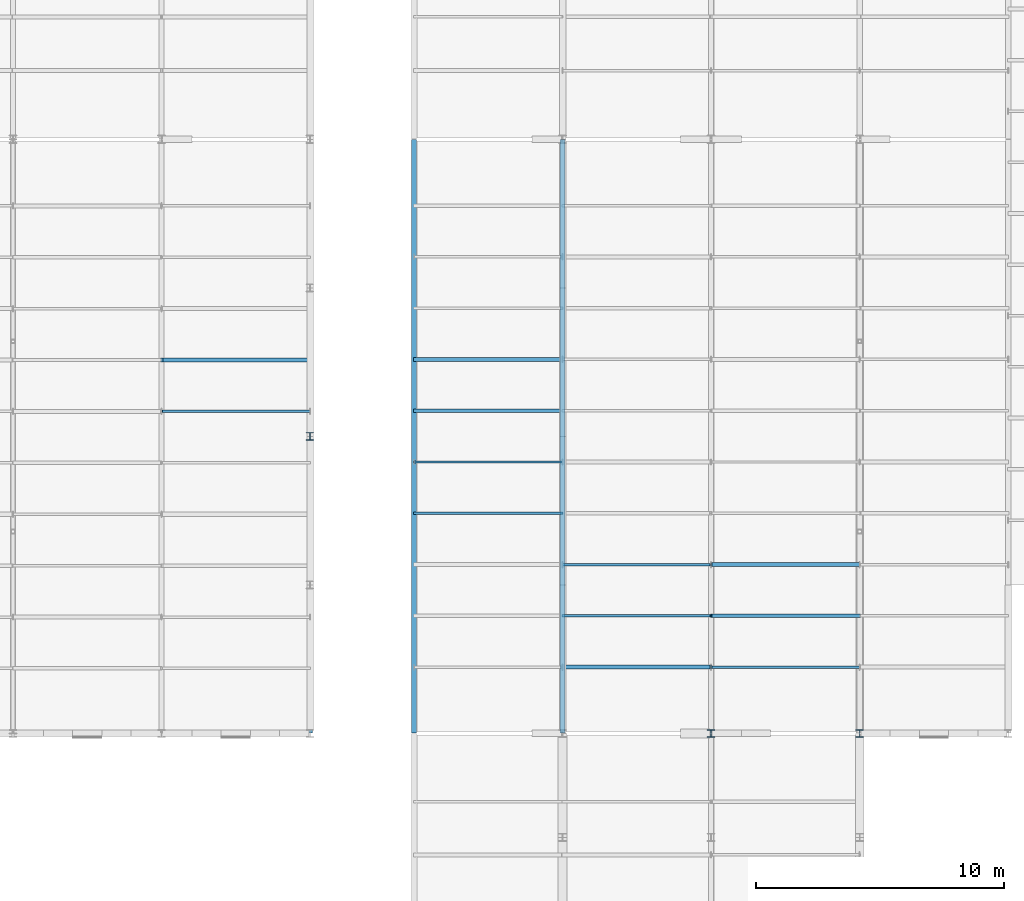
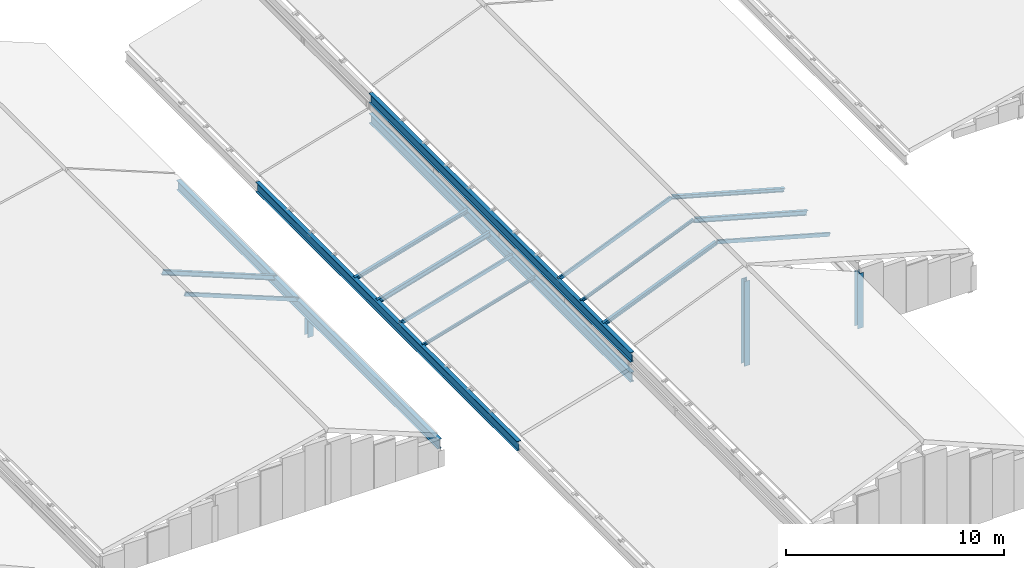
# One storey, part 3 of 74: 15 members, 4 beams.
"""IFC4 building model written with IfcOpenShell, lengths in metres."""

from ifc_helpers import new_model, si_unit, direction, frame, origin, origin_2d, place, context, subcontext, project, spatial, hollow_rectangle, i_section, extrude, material, material_profile, profile_set, type_object, element, save


model = new_model("IFC4")

# Units and contexts
model_context = context("Model", 3, precision=1e-05, world=origin(), true_north=direction((0.0, 1.0)))
body_context = subcontext(model_context, "Body", "Model", "MODEL_VIEW")
ifc_project = project(units=[si_unit("LENGTHUNIT", "METRE"), si_unit("AREAUNIT", "SQUARE_METRE"), si_unit("VOLUMEUNIT", "CUBIC_METRE"), si_unit("PLANEANGLEUNIT", "RADIAN"), si_unit("MASSUNIT", "GRAM", prefix="KILO")], contexts=[model_context])

# Site, building, storey
site_placement = place(None, origin())
site = spatial("IfcSite", under=ifc_project, at=site_placement, CompositionType="ELEMENT")
building_placement = place(site_placement, origin())
building = spatial("IfcBuilding", under=site, at=building_placement, Name="Siltcreek Boulevard Central Fire Station", CompositionType="ELEMENT")
storey_placement = place(building_placement, frame((0.0, 0.0, 25.199951171875)))
storey = spatial("IfcBuildingStorey", under=building, at=storey_placement, Name="RF", CompositionType="ELEMENT", Elevation=25.199951171875)

# Beams
ifc_material_1 = material(Name="Structural steel ASTM A992 Gr50", Category="steel")
ifc_material_profile_1 = material_profile(ifc_material_1, i_section(OverallWidth=0.2109375, OverallDepth=0.5390625, WebThickness=0.01171875, FlangeThickness=0.018798828125, at=origin_2d()), Name="W530X109")
ifc_profile_set_1 = profile_set([ifc_material_profile_1], Name="Structural steel ASTM A992 Gr50")
beam_type = type_object("IfcBeamType", Name="BM_W530X109", PredefinedType="BEAM", material=ifc_profile_set_1)
for number, where, z_axis, x_axis, name in (
    (1, (42.0, 18.010009765625, -15.58447265625), (0.0, 1.0, 0.0), (-1.0, 0.0, 0.0), "Pitched roof rafter beam RFB-003"),
    (2, (48.0, 18.010009765625, -13.83447265625), (0.0, 1.0, 0.0), (-1.0, 0.0, 0.0), "Pitched roof rafter beam RFB-004"),
    (3, (48.0, 18.010009765625, -12.71044921875), (0.0, 1.0, 0.0), (-1.0, 0.0, 0.0), "Pitched roof rafter beam RFB-010"),
    (4, (37.800048828125, 18.010009765625, -14.0068359375), (0.0, 1.0, 0.0), (-1.0, 0.0, 0.0), "Pitched roof rafter beam RFB-046"),
):
    element("IfcBeam", number, at=place(storey_placement, frame(where, z_axis=z_axis, x_axis=x_axis)), inside=storey, type_object=beam_type, Name=name, PredefinedType="BEAM", context=body_context, shape_type="SweptSolid", body=[
        extrude(i_section(OverallWidth=0.2109375, OverallDepth=0.5390625, WebThickness=0.01171875, FlangeThickness=0.018798828125, at=origin_2d()), origin(), (0.0, 0.0, 1.0), 23.97998046875),
    ])

# Members
ifc_material_profile_2 = material_profile(ifc_material_1, i_section(OverallWidth=0.304931640625, OverallDepth=0.30810546875, WebThickness=0.010009765625, FlangeThickness=0.015380859375, at=origin_2d()), Name="W310X97")
ifc_profile_set_2 = profile_set([ifc_material_profile_2], Name="Structural steel ASTM A992 Gr50")
member_type_1 = type_object("IfcMemberType", Name="CH_W310X97", PredefinedType="CHORD", material=ifc_profile_set_2)
member_1_placement = place(storey_placement, frame((37.800048828125, 30.0, -15.199951171875), z_axis=(0.0, 0.0, 1.0), x_axis=(1.0, 0.0, 0.0)))
element("IfcMember", 5, at=member_1_placement, inside=storey, type_object=member_type_1, Name="Roof bearing truss post 0684", PredefinedType="CHORD", context=body_context, shape_type="SweptSolid", body=[
    extrude(i_section(OverallWidth=0.304931640625, OverallDepth=0.30810546875, WebThickness=0.010009765625, FlangeThickness=0.015380859375, at=origin_2d()), origin(), (0.0, 0.0, 1.0), 0.927490234375),
])
member_2_placement = place(storey_placement, frame((54.0, 18.0, -15.199951171875), z_axis=(0.0, 0.0, 1.0), x_axis=(1.0, 0.0, 0.0)))
element("IfcMember", 6, at=member_2_placement, inside=storey, type_object=member_type_1, Name="Roof bearing truss post 0703", PredefinedType="CHORD", context=body_context, shape_type="SweptSolid", body=[
    extrude(i_section(OverallWidth=0.304931640625, OverallDepth=0.30810546875, WebThickness=0.010009765625, FlangeThickness=0.015380859375, at=origin_2d()), origin(), (0.0, 0.0, 1.0), 4.75244140625),
])
member_3_placement = place(storey_placement, frame((60.0, 18.0, -15.199951171875), z_axis=(0.0, 0.0, 1.0), x_axis=(1.0, 0.0, 0.0)))
element("IfcMember", 7, at=member_3_placement, inside=storey, type_object=member_type_1, Name="Roof bearing truss post 0712", PredefinedType="CHORD", context=body_context, shape_type="SweptSolid", body=[
    extrude(i_section(OverallWidth=0.304931640625, OverallDepth=0.30810546875, WebThickness=0.010009765625, FlangeThickness=0.015380859375, at=origin_2d()), origin(), (0.0, 0.0, 1.0), 3.077392578125),
])
ifc_material_2 = material(Name="Structural steel ASTM A500 GrC", Category="steel")
ifc_material_profile_3 = material_profile(ifc_material_2, hollow_rectangle(XDim=0.10009765625, YDim=0.199951171875, WallThickness=0.00634765625, at=origin_2d()), Name="HSS200X100X6.4")
ifc_profile_set_3 = profile_set([ifc_material_profile_3], Name="Structural steel ASTM A500 GrC")
member_type_2 = type_object("IfcMemberType", Name="PR_HSS200X100", PredefinedType="PURLIN", material=ifc_profile_set_3)
member_4_placement = place(storey_placement, frame((42.010009765625, 28.964599609375, -15.375732421875), z_axis=(0.959990342304, 0.0, 0.280033109976), x_axis=(0.0, 1.0, 0.0)))
element("IfcMember", 8, at=member_4_placement, inside=storey, type_object=member_type_2, Name="Sloped roof purlin PR-0011", PredefinedType="PURLIN", context=body_context, shape_type="SweptSolid", body=[
    extrude(hollow_rectangle(XDim=0.10009765625, YDim=0.199951171875, WallThickness=0.00634765625, at=origin_2d()), origin(), (0.0, 0.0, 1.0), 6.229248046875),
])
member_5_placement = place(storey_placement, frame((48.010009765625, 24.82275390625, -12.489013671875), z_axis=(0.923074693136, 0.0, 0.384620736431), x_axis=(0.0, 1.0, 0.0)))
element("IfcMember", 9, at=member_5_placement, inside=storey, type_object=member_type_2, Name="Sloped roof purlin PR-0035", PredefinedType="PURLIN", context=body_context, shape_type="SweptSolid", body=[
    extrude(hollow_rectangle(XDim=0.10009765625, YDim=0.199951171875, WallThickness=0.00634765625, at=origin_2d()), origin(), (0.0, 0.0, 1.0), 6.478271484375),
])
member_6_placement = place(storey_placement, frame((54.010009765625, 20.680908203125, -9.980224609375), z_axis=(0.963171200032, 0.0, -0.268888897927), x_axis=(0.0, 1.0, 0.0)))
element("IfcMember", 10, at=member_6_placement, inside=storey, type_object=member_type_2, Name="Sloped roof purlin PR-0043", PredefinedType="PURLIN", context=body_context, shape_type="SweptSolid", body=[
    extrude(hollow_rectangle(XDim=0.10009765625, YDim=0.199951171875, WallThickness=0.00634765625, at=origin_2d()), origin(), (0.0, 0.0, 1.0), 6.208740234375),
])
member_7_placement = place(storey_placement, frame((31.81005859375, 31.00830078125, -11.39501953125), z_axis=(0.928484533425, 0.0, -0.371371069403), x_axis=(0.0, 1.0, 0.0)))
element("IfcMember", 11, at=member_7_placement, inside=storey, type_object=member_type_2, Name="Sloped roof purlin PR-0251", PredefinedType="PURLIN", context=body_context, shape_type="SweptSolid", body=[
    extrude(hollow_rectangle(XDim=0.10009765625, YDim=0.199951171875, WallThickness=0.00634765625, at=origin_2d()), origin(), (0.0, 0.0, 1.0), 6.440673828125),
])
ifc_material_profile_4 = material_profile(ifc_material_1, i_section(OverallWidth=0.10205078125, OverallDepth=0.159912109375, WebThickness=0.006591796875, FlangeThickness=0.01025390625, at=origin_2d()), Name="W150X24")
ifc_profile_set_4 = profile_set([ifc_material_profile_4], Name="Structural steel ASTM A992 Gr50")
member_type_3 = type_object("IfcMemberType", Name="PR_W150X24", PredefinedType="PURLIN", material=ifc_profile_set_4)
member_8_placement = place(storey_placement, frame((42.010009765625, 26.8935546875, -15.354736328125), z_axis=(0.960000877925, 0.0, 0.279996989953), x_axis=(0.0, 1.0, 0.0)))
element("IfcMember", 12, at=member_8_placement, inside=storey, type_object=member_type_3, Name="Sloped roof purlin PR-0010", PredefinedType="PURLIN", context=body_context, shape_type="SweptSolid", body=[
    extrude(i_section(OverallWidth=0.10205078125, OverallDepth=0.159912109375, WebThickness=0.006591796875, FlangeThickness=0.01025390625, at=origin_2d()), origin(), (0.0, 0.0, 1.0), 6.229248046875),
])
member_9_placement = place(storey_placement, frame((48.010009765625, 22.751708984375, -12.46728515625), z_axis=(0.923074693136, 0.0, 0.384620736431), x_axis=(0.0, 1.0, 0.0)))
element("IfcMember", 13, at=member_9_placement, inside=storey, type_object=member_type_3, Name="Sloped roof purlin PR-0034", PredefinedType="PURLIN", context=body_context, shape_type="SweptSolid", body=[
    extrude(i_section(OverallWidth=0.10205078125, OverallDepth=0.159912109375, WebThickness=0.006591796875, FlangeThickness=0.01025390625, at=origin_2d()), origin(), (0.0, 0.0, 1.0), 6.478271484375),
])
ifc_material_profile_5 = material_profile(ifc_material_1, i_section(OverallWidth=0.1650390625, OverallDepth=0.200927734375, WebThickness=0.006103515625, FlangeThickness=0.01025390625, at=origin_2d()), Name="W200X36")
ifc_profile_set_5 = profile_set([ifc_material_profile_5], Name="Structural steel ASTM A992 Gr50")
member_type_4 = type_object("IfcMemberType", Name="PR_W200X36", PredefinedType="PURLIN", material=ifc_profile_set_5)
member_10_placement = place(storey_placement, frame((42.010009765625, 33.1064453125, -15.376220703125), z_axis=(0.960000877925, 0.0, 0.279996989953), x_axis=(0.0, 1.0, 0.0)))
element("IfcMember", 14, at=member_10_placement, inside=storey, type_object=member_type_4, Name="Sloped roof purlin PR-0013", PredefinedType="PURLIN", context=body_context, shape_type="SweptSolid", body=[
    extrude(i_section(OverallWidth=0.1650390625, OverallDepth=0.200927734375, WebThickness=0.006103515625, FlangeThickness=0.01025390625, at=origin_2d()), origin(), (0.0, 0.0, 1.0), 6.229248046875),
])
member_11_placement = place(storey_placement, frame((48.010009765625, 20.680908203125, -12.489501953125), z_axis=(0.923074693136, 0.0, 0.384620736431), x_axis=(0.0, 1.0, 0.0)))
element("IfcMember", 15, at=member_11_placement, inside=storey, type_object=member_type_4, Name="Sloped roof purlin PR-0033", PredefinedType="PURLIN", context=body_context, shape_type="SweptSolid", body=[
    extrude(i_section(OverallWidth=0.1650390625, OverallDepth=0.200927734375, WebThickness=0.006103515625, FlangeThickness=0.01025390625, at=origin_2d()), origin(), (0.0, 0.0, 1.0), 6.478271484375),
])
member_12_placement = place(storey_placement, frame((54.010009765625, 24.82275390625, -9.980712890625), z_axis=(0.963171200032, 0.0, -0.268888897927), x_axis=(0.0, 1.0, 0.0)))
element("IfcMember", 16, at=member_12_placement, inside=storey, type_object=member_type_4, Name="Sloped roof purlin PR-0045", PredefinedType="PURLIN", context=body_context, shape_type="SweptSolid", body=[
    extrude(i_section(OverallWidth=0.1650390625, OverallDepth=0.200927734375, WebThickness=0.006103515625, FlangeThickness=0.01025390625, at=origin_2d()), origin(), (0.0, 0.0, 1.0), 6.208740234375),
])
ifc_material_profile_6 = material_profile(ifc_material_1, i_section(OverallWidth=0.14697265625, OverallDepth=0.261962890625, WebThickness=0.006591796875, FlangeThickness=0.01123046875, at=origin_2d()), Name="W250X39")
ifc_profile_set_6 = profile_set([ifc_material_profile_6], Name="Structural steel ASTM A992 Gr50")
member_type_5 = type_object("IfcMemberType", Name="PR_W250X39", PredefinedType="PURLIN", material=ifc_profile_set_6)
member_13_placement = place(storey_placement, frame((42.010009765625, 31.035400390625, -15.407958984375), z_axis=(0.960000877925, 0.0, 0.279996989953), x_axis=(0.0, 1.0, 0.0)))
element("IfcMember", 17, at=member_13_placement, inside=storey, type_object=member_type_5, Name="Sloped roof purlin PR-0012", PredefinedType="PURLIN", context=body_context, shape_type="SweptSolid", body=[
    extrude(i_section(OverallWidth=0.14697265625, OverallDepth=0.261962890625, WebThickness=0.006591796875, FlangeThickness=0.01123046875, at=origin_2d()), origin(), (0.0, 0.0, 1.0), 6.229248046875),
])
member_14_placement = place(storey_placement, frame((54.010009765625, 22.751708984375, -10.01220703125), z_axis=(0.963171200032, 0.0, -0.268888897927), x_axis=(0.0, 1.0, 0.0)))
element("IfcMember", 18, at=member_14_placement, inside=storey, type_object=member_type_5, Name="Sloped roof purlin PR-0044", PredefinedType="PURLIN", context=body_context, shape_type="SweptSolid", body=[
    extrude(i_section(OverallWidth=0.14697265625, OverallDepth=0.261962890625, WebThickness=0.006591796875, FlangeThickness=0.01123046875, at=origin_2d()), origin(), (0.0, 0.0, 1.0), 6.208740234375),
])
member_15_placement = place(storey_placement, frame((31.81005859375, 33.08447265625, -11.42822265625), z_axis=(0.928471462369, 0.0, -0.371403747379), x_axis=(0.0, 1.0, 0.0)))
element("IfcMember", 19, at=member_15_placement, inside=storey, type_object=member_type_5, Name="Sloped roof purlin PR-0252", PredefinedType="PURLIN", context=body_context, shape_type="SweptSolid", body=[
    extrude(i_section(OverallWidth=0.14697265625, OverallDepth=0.261962890625, WebThickness=0.006591796875, FlangeThickness=0.01123046875, at=origin_2d()), origin(), (0.0, 0.0, 1.0), 6.440673828125),
])

save(model, "model.ifc")
